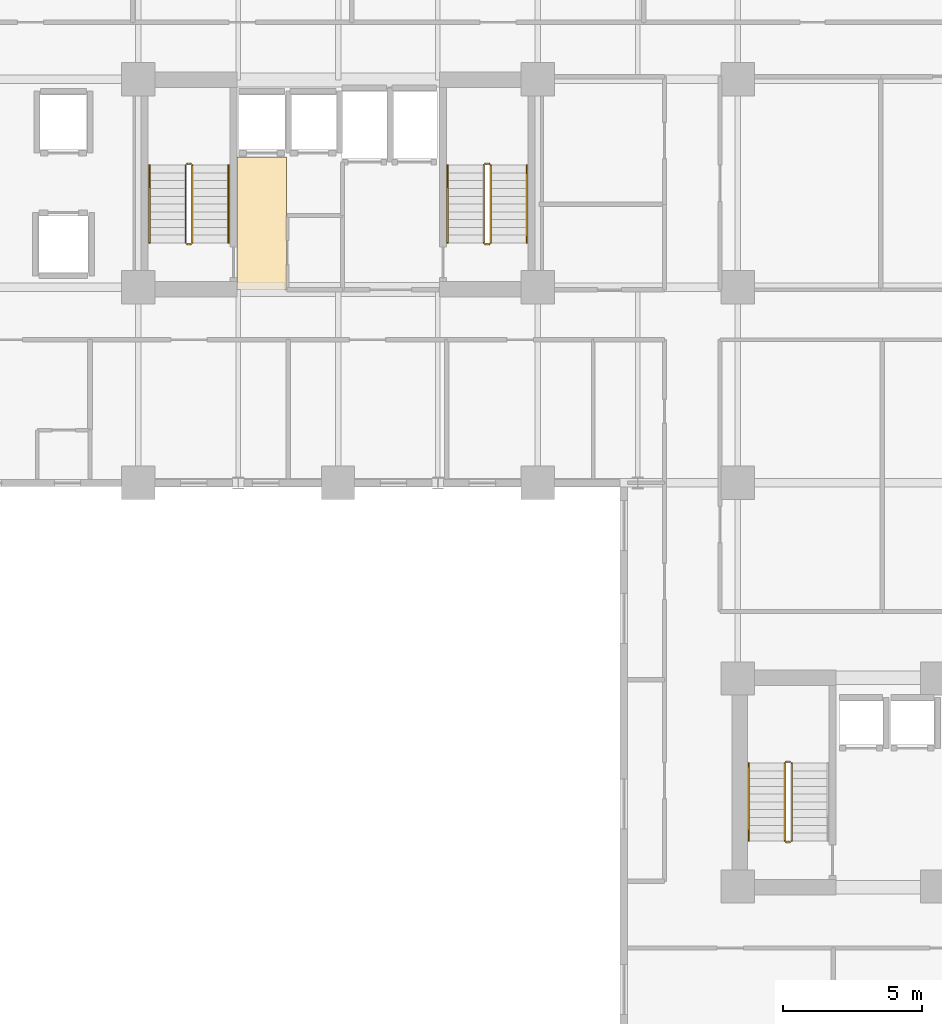
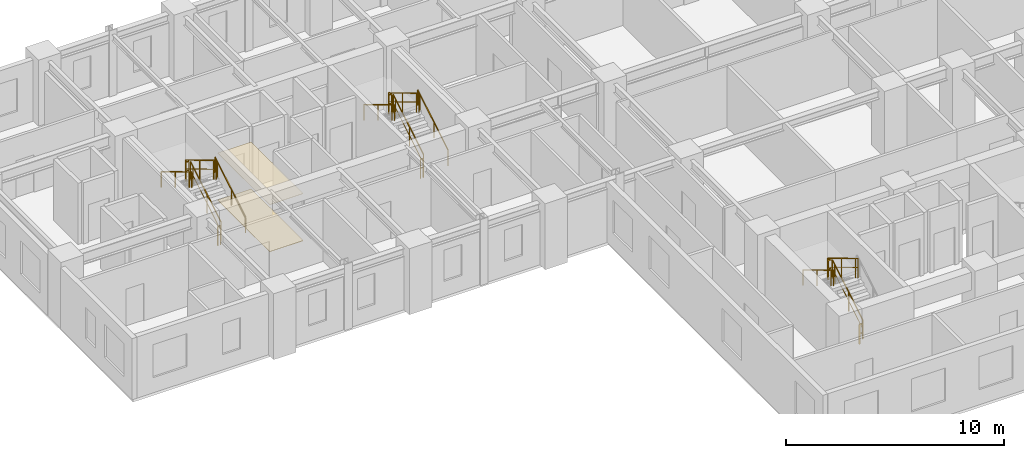
# One storey, part 9 of 11: 17 railings, 2 coverings.
"""IFC4 building model written with IfcOpenShell, lengths in metres."""

from ifc_helpers import new_model, si_unit, direction, frame, origin, origin_2d, place, context, subcontext, project, spatial, rectangle, extrude, source, transform, mapped, material, layer, layer_set, type_object, element, save


model = new_model("IFC4")

# Units and contexts
model_context = context("Model", 3, precision=1e-05, world=origin(), true_north=direction((0.0, 1.0)))
body_context = subcontext(model_context, "Body", "Model", "MODEL_VIEW")
ifc_project = project(units=[si_unit("LENGTHUNIT", "METRE"), si_unit("AREAUNIT", "SQUARE_METRE"), si_unit("VOLUMEUNIT", "CUBIC_METRE"), si_unit("PLANEANGLEUNIT", "RADIAN"), si_unit("MASSUNIT", "GRAM", prefix="KILO")], contexts=[model_context])

# Site, building, storey
site_placement = place(None, origin())
site = spatial("IfcSite", under=ifc_project, at=site_placement, CompositionType="ELEMENT")
building_placement = place(site_placement, origin())
building = spatial("IfcBuilding", under=site, at=building_placement, Name="Kaliganga Portal Commons", CompositionType="ELEMENT")
storey_placement = place(building_placement, frame((0.0, 0.0, 100.800048828125)))
storey = spatial("IfcBuildingStorey", under=building, at=storey_placement, Name="L25", CompositionType="ELEMENT", Elevation=100.800048828125)

# Railings
ifc_material_1 = material(Name="Galvanized Painted Steel Balustrade", Category="steel")
railing_type_1 = type_object("IfcRailingType", Name="RLG-STAIR-GRD", PredefinedType="GUARDRAIL", material=ifc_material_1)
railing_1_placement = place(storey_placement, frame((16.35009765625, 30.25, 0.168212890625)))
element("IfcRailing", 1, at=railing_1_placement, inside=storey, type_object=railing_type_1, Name="L25 ST-A1 stair guard 1", PredefinedType="GUARDRAIL", context=body_context, shape_type="SweptSolid", body=[
    extrude(rectangle(XDim=0.048095703125, YDim=0.048095703125, at=origin_2d()), frame((0.0, 0.0, 1.072021484375), z_axis=(0.0, 0.857275202839, 0.514858452973), x_axis=(-1.0, 0.0, 0.0)), (0.0, 0.0, 1.0), 3.26611328125),
    extrude(rectangle(XDim=0.028076171875, YDim=0.028076171875, at=origin_2d()), frame((0.0, 0.0, 0.572021484375), z_axis=(0.0, 0.857275202839, 0.514858452973), x_axis=(-1.0, 0.0, 0.0)), (0.0, 0.0, 1.0), 3.26611328125),
    extrude(rectangle(XDim=0.0419921875, YDim=0.0419921875, at=origin_2d()), origin(), (0.0, 0.0, 1.0), 1.052001953125),
    extrude(rectangle(XDim=0.0419921875, YDim=0.0419921875, at=origin_2d()), frame((0.0, 1.285888671875, 0.772216796875)), (0.0, 0.0, 1.0), 1.052001953125),
    extrude(rectangle(XDim=0.0419921875, YDim=0.0419921875, at=origin_2d()), frame((0.0, 2.57177734375, 1.544677734375)), (0.0, 0.0, 1.0), 1.052001953125),
    extrude(rectangle(XDim=0.0419921875, YDim=0.0419921875, at=origin_2d()), frame((0.0, 2.800048828125, 1.681640625)), (0.0, 0.0, 1.0), 1.052001953125),
])
railing_2_placement = place(storey_placement, frame((16.300048828125, 33.10009765625, 1.849853515625)))
element("IfcRailing", 2, at=railing_2_placement, inside=storey, type_object=railing_type_1, Name="L25 ST-A1 stair guard 2", PredefinedType="GUARDRAIL", context=body_context, shape_type="SweptSolid", body=[
    extrude(rectangle(XDim=0.048095703125, YDim=0.048095703125, at=origin_2d()), frame((0.0, 0.0, 1.076171875), z_axis=(-1.0, 0.0, 0.0), x_axis=(0.0, -1.0, 0.0)), (0.0, 0.0, 1.0), 0.150146484375),
    extrude(rectangle(XDim=0.028076171875, YDim=0.028076171875, at=origin_2d()), frame((0.0, 0.0, 0.572021484375), z_axis=(-1.0, 0.0, 0.0), x_axis=(0.0, -1.0, 0.0)), (0.0, 0.0, 1.0), 0.150146484375),
    extrude(rectangle(XDim=0.0419921875, YDim=0.0419921875, at=origin_2d()), origin(), (0.0, 0.0, 1.0), 1.052001953125),
    extrude(rectangle(XDim=0.0419921875, YDim=0.0419921875, at=origin_2d()), frame((-0.150146484375, 0.0, 0.0)), (0.0, 0.0, 1.0), 1.052001953125),
])
railing_3_placement = place(storey_placement, frame((16.10009765625, 33.050048828125, 2.01806640625)))
element("IfcRailing", 3, at=railing_3_placement, inside=storey, type_object=railing_type_1, Name="L25 ST-A1 stair guard 3", PredefinedType="GUARDRAIL", context=body_context, shape_type="SweptSolid", body=[
    extrude(rectangle(XDim=0.048095703125, YDim=0.048095703125, at=origin_2d()), frame((0.0, 0.0, 1.072021484375), z_axis=(0.0, -0.857242210791, 0.514913383045), x_axis=(1.0, 0.0, 0.0)), (0.0, 0.0, 1.0), 3.266357421875),
    extrude(rectangle(XDim=0.028076171875, YDim=0.028076171875, at=origin_2d()), frame((0.0, 0.0, 0.572021484375), z_axis=(0.0, -0.857242210791, 0.514913383045), x_axis=(1.0, 0.0, 0.0)), (0.0, 0.0, 1.0), 3.266357421875),
    extrude(rectangle(XDim=0.0419921875, YDim=0.0419921875, at=origin_2d()), origin(), (0.0, 0.0, 1.0), 1.052001953125),
    extrude(rectangle(XDim=0.0419921875, YDim=0.0419921875, at=origin_2d()), frame((0.0, -1.285888671875, 0.7724609375)), (0.0, 0.0, 1.0), 1.052001953125),
    extrude(rectangle(XDim=0.0419921875, YDim=0.0419921875, at=origin_2d()), frame((0.0, -2.57177734375, 1.544677734375)), (0.0, 0.0, 1.0), 1.052001953125),
    extrude(rectangle(XDim=0.0419921875, YDim=0.0419921875, at=origin_2d()), frame((0.0, -2.800048828125, 1.681884765625)), (0.0, 0.0, 1.0), 1.052001953125),
])
railing_4_placement = place(storey_placement, frame((16.300048828125, 30.199951171875, 0.0)))
element("IfcRailing", 4, at=railing_4_placement, inside=storey, type_object=railing_type_1, Name="L25 ST-A1 stair guard 4", PredefinedType="GUARDRAIL", context=body_context, shape_type="SweptSolid", body=[
    extrude(rectangle(XDim=0.048095703125, YDim=0.048095703125, at=origin_2d()), frame((0.0, 0.0, 1.076171875), z_axis=(-1.0, 0.0, 0.0), x_axis=(0.0, -1.0, 0.0)), (0.0, 0.0, 1.0), 0.150146484375),
    extrude(rectangle(XDim=0.028076171875, YDim=0.028076171875, at=origin_2d()), frame((0.0, 0.0, 0.572021484375), z_axis=(-1.0, 0.0, 0.0), x_axis=(0.0, -1.0, 0.0)), (0.0, 0.0, 1.0), 0.150146484375),
    extrude(rectangle(XDim=0.0419921875, YDim=0.0419921875, at=origin_2d()), origin(), (0.0, 0.0, 1.0), 1.052001953125),
    extrude(rectangle(XDim=0.0419921875, YDim=0.0419921875, at=origin_2d()), frame((-0.150146484375, 0.0, 0.0)), (0.0, 0.0, 1.0), 1.052001953125),
])
railing_5_placement = place(storey_placement, frame((27.10009765625, 30.25, 0.168212890625)))
element("IfcRailing", 5, at=railing_5_placement, inside=storey, type_object=railing_type_1, Name="L25 ST-A2 stair guard 1", PredefinedType="GUARDRAIL", context=body_context, shape_type="SweptSolid", body=[
    extrude(rectangle(XDim=0.048095703125, YDim=0.048095703125, at=origin_2d()), frame((0.0, 0.0, 1.072021484375), z_axis=(0.0, 0.857275202839, 0.514858452973), x_axis=(-1.0, 0.0, 0.0)), (0.0, 0.0, 1.0), 3.26611328125),
    extrude(rectangle(XDim=0.028076171875, YDim=0.028076171875, at=origin_2d()), frame((0.0, 0.0, 0.572021484375), z_axis=(0.0, 0.857275202839, 0.514858452973), x_axis=(-1.0, 0.0, 0.0)), (0.0, 0.0, 1.0), 3.26611328125),
    extrude(rectangle(XDim=0.0419921875, YDim=0.0419921875, at=origin_2d()), origin(), (0.0, 0.0, 1.0), 1.052001953125),
    extrude(rectangle(XDim=0.0419921875, YDim=0.0419921875, at=origin_2d()), frame((0.0, 1.285888671875, 0.772216796875)), (0.0, 0.0, 1.0), 1.052001953125),
    extrude(rectangle(XDim=0.0419921875, YDim=0.0419921875, at=origin_2d()), frame((0.0, 2.57177734375, 1.544677734375)), (0.0, 0.0, 1.0), 1.052001953125),
    extrude(rectangle(XDim=0.0419921875, YDim=0.0419921875, at=origin_2d()), frame((0.0, 2.800048828125, 1.681640625)), (0.0, 0.0, 1.0), 1.052001953125),
])
railing_6_placement = place(storey_placement, frame((27.050048828125, 33.10009765625, 1.849853515625)))
element("IfcRailing", 6, at=railing_6_placement, inside=storey, type_object=railing_type_1, Name="L25 ST-A2 stair guard 2", PredefinedType="GUARDRAIL", context=body_context, shape_type="SweptSolid", body=[
    extrude(rectangle(XDim=0.048095703125, YDim=0.048095703125, at=origin_2d()), frame((0.0, 0.0, 1.076171875), z_axis=(-1.0, 0.0, 0.0), x_axis=(0.0, -1.0, 0.0)), (0.0, 0.0, 1.0), 0.150146484375),
    extrude(rectangle(XDim=0.028076171875, YDim=0.028076171875, at=origin_2d()), frame((0.0, 0.0, 0.572021484375), z_axis=(-1.0, 0.0, 0.0), x_axis=(0.0, -1.0, 0.0)), (0.0, 0.0, 1.0), 0.150146484375),
    extrude(rectangle(XDim=0.0419921875, YDim=0.0419921875, at=origin_2d()), origin(), (0.0, 0.0, 1.0), 1.052001953125),
    extrude(rectangle(XDim=0.0419921875, YDim=0.0419921875, at=origin_2d()), frame((-0.150146484375, 0.0, 0.0)), (0.0, 0.0, 1.0), 1.052001953125),
])
railing_7_placement = place(storey_placement, frame((26.85009765625, 33.050048828125, 2.01806640625)))
element("IfcRailing", 7, at=railing_7_placement, inside=storey, type_object=railing_type_1, Name="L25 ST-A2 stair guard 3", PredefinedType="GUARDRAIL", context=body_context, shape_type="SweptSolid", body=[
    extrude(rectangle(XDim=0.048095703125, YDim=0.048095703125, at=origin_2d()), frame((0.0, 0.0, 1.072021484375), z_axis=(0.0, -0.857242210791, 0.514913383045), x_axis=(1.0, 0.0, 0.0)), (0.0, 0.0, 1.0), 3.266357421875),
    extrude(rectangle(XDim=0.028076171875, YDim=0.028076171875, at=origin_2d()), frame((0.0, 0.0, 0.572021484375), z_axis=(0.0, -0.857242210791, 0.514913383045), x_axis=(1.0, 0.0, 0.0)), (0.0, 0.0, 1.0), 3.266357421875),
    extrude(rectangle(XDim=0.0419921875, YDim=0.0419921875, at=origin_2d()), origin(), (0.0, 0.0, 1.0), 1.052001953125),
    extrude(rectangle(XDim=0.0419921875, YDim=0.0419921875, at=origin_2d()), frame((0.0, -1.285888671875, 0.7724609375)), (0.0, 0.0, 1.0), 1.052001953125),
    extrude(rectangle(XDim=0.0419921875, YDim=0.0419921875, at=origin_2d()), frame((0.0, -2.57177734375, 1.544677734375)), (0.0, 0.0, 1.0), 1.052001953125),
    extrude(rectangle(XDim=0.0419921875, YDim=0.0419921875, at=origin_2d()), frame((0.0, -2.800048828125, 1.681884765625)), (0.0, 0.0, 1.0), 1.052001953125),
])
railing_8_placement = place(storey_placement, frame((27.050048828125, 30.199951171875, 0.0)))
element("IfcRailing", 8, at=railing_8_placement, inside=storey, type_object=railing_type_1, Name="L25 ST-A2 stair guard 4", PredefinedType="GUARDRAIL", context=body_context, shape_type="SweptSolid", body=[
    extrude(rectangle(XDim=0.048095703125, YDim=0.048095703125, at=origin_2d()), frame((0.0, 0.0, 1.076171875), z_axis=(-1.0, 0.0, 0.0), x_axis=(0.0, -1.0, 0.0)), (0.0, 0.0, 1.0), 0.150146484375),
    extrude(rectangle(XDim=0.028076171875, YDim=0.028076171875, at=origin_2d()), frame((0.0, 0.0, 0.572021484375), z_axis=(-1.0, 0.0, 0.0), x_axis=(0.0, -1.0, 0.0)), (0.0, 0.0, 1.0), 0.150146484375),
    extrude(rectangle(XDim=0.0419921875, YDim=0.0419921875, at=origin_2d()), origin(), (0.0, 0.0, 1.0), 1.052001953125),
    extrude(rectangle(XDim=0.0419921875, YDim=0.0419921875, at=origin_2d()), frame((-0.150146484375, 0.0, 0.0)), (0.0, 0.0, 1.0), 1.052001953125),
])
railing_9_placement = place(storey_placement, frame((37.949951171875, 8.699951171875, 0.168212890625)))
element("IfcRailing", 9, at=railing_9_placement, inside=storey, type_object=railing_type_1, Name="L25 ST-B1 stair guard 1", PredefinedType="GUARDRAIL", context=body_context, shape_type="SweptSolid", body=[
    extrude(rectangle(XDim=0.048095703125, YDim=0.048095703125, at=origin_2d()), frame((0.0, 0.0, 1.072021484375), z_axis=(0.0, 0.857275202839, 0.514858452973), x_axis=(-1.0, 0.0, 0.0)), (0.0, 0.0, 1.0), 3.26611328125),
    extrude(rectangle(XDim=0.028076171875, YDim=0.028076171875, at=origin_2d()), frame((0.0, 0.0, 0.572021484375), z_axis=(0.0, 0.857275202839, 0.514858452973), x_axis=(-1.0, 0.0, 0.0)), (0.0, 0.0, 1.0), 3.26611328125),
    extrude(rectangle(XDim=0.0419921875, YDim=0.0419921875, at=origin_2d()), origin(), (0.0, 0.0, 1.0), 1.052001953125),
    extrude(rectangle(XDim=0.0419921875, YDim=0.0419921875, at=origin_2d()), frame((0.0, 1.285888671875, 0.772216796875)), (0.0, 0.0, 1.0), 1.052001953125),
    extrude(rectangle(XDim=0.0419921875, YDim=0.0419921875, at=origin_2d()), frame((0.0, 2.57177734375, 1.544677734375)), (0.0, 0.0, 1.0), 1.052001953125),
    extrude(rectangle(XDim=0.0419921875, YDim=0.0419921875, at=origin_2d()), frame((0.0, 2.800048828125, 1.681640625)), (0.0, 0.0, 1.0), 1.052001953125),
])
railing_10_placement = place(storey_placement, frame((37.89990234375, 11.550048828125, 1.849853515625)))
element("IfcRailing", 10, at=railing_10_placement, inside=storey, type_object=railing_type_1, Name="L25 ST-B1 stair guard 2", PredefinedType="GUARDRAIL", context=body_context, shape_type="SweptSolid", body=[
    extrude(rectangle(XDim=0.048095703125, YDim=0.048095703125, at=origin_2d()), frame((0.0, 0.0, 1.076171875), z_axis=(-1.0, 0.0, 0.0), x_axis=(0.0, -1.0, 0.0)), (0.0, 0.0, 1.0), 0.14990234375),
    extrude(rectangle(XDim=0.028076171875, YDim=0.028076171875, at=origin_2d()), frame((0.0, 0.0, 0.572021484375), z_axis=(-1.0, 0.0, 0.0), x_axis=(0.0, -1.0, 0.0)), (0.0, 0.0, 1.0), 0.14990234375),
    extrude(rectangle(XDim=0.0419921875, YDim=0.0419921875, at=origin_2d()), frame((-0.14990234375, 0.0, 0.0)), (0.0, 0.0, 1.0), 1.052001953125),
])
railing_11_placement = place(storey_placement, frame((37.699951171875, 11.5, 2.01806640625)))
element("IfcRailing", 11, at=railing_11_placement, inside=storey, type_object=railing_type_1, Name="L25 ST-B1 stair guard 3", PredefinedType="GUARDRAIL", context=body_context, shape_type="SweptSolid", body=[
    extrude(rectangle(XDim=0.048095703125, YDim=0.048095703125, at=origin_2d()), frame((0.0, 0.0, 1.072021484375), z_axis=(0.0, -0.857242210791, 0.514913383045), x_axis=(1.0, 0.0, 0.0)), (0.0, 0.0, 1.0), 3.266357421875),
    extrude(rectangle(XDim=0.028076171875, YDim=0.028076171875, at=origin_2d()), frame((0.0, 0.0, 0.572021484375), z_axis=(0.0, -0.857242210791, 0.514913383045), x_axis=(1.0, 0.0, 0.0)), (0.0, 0.0, 1.0), 3.266357421875),
    extrude(rectangle(XDim=0.0419921875, YDim=0.0419921875, at=origin_2d()), origin(), (0.0, 0.0, 1.0), 1.052001953125),
    extrude(rectangle(XDim=0.0419921875, YDim=0.0419921875, at=origin_2d()), frame((0.0, -1.285888671875, 0.7724609375)), (0.0, 0.0, 1.0), 1.052001953125),
    extrude(rectangle(XDim=0.0419921875, YDim=0.0419921875, at=origin_2d()), frame((0.0, -2.57177734375, 1.544677734375)), (0.0, 0.0, 1.0), 1.052001953125),
    extrude(rectangle(XDim=0.0419921875, YDim=0.0419921875, at=origin_2d()), frame((0.0, -2.800048828125, 1.681884765625)), (0.0, 0.0, 1.0), 1.052001953125),
])
railing_12_placement = place(storey_placement, frame((37.89990234375, 8.64990234375, 0.0)))
element("IfcRailing", 12, at=railing_12_placement, inside=storey, type_object=railing_type_1, Name="L25 ST-B1 stair guard 4", PredefinedType="GUARDRAIL", context=body_context, shape_type="SweptSolid", body=[
    extrude(rectangle(XDim=0.048095703125, YDim=0.048095703125, at=origin_2d()), frame((0.0, 0.0, 1.076171875), z_axis=(-1.0, 0.0, 0.0), x_axis=(0.0, -1.0, 0.0)), (0.0, 0.0, 1.0), 0.14990234375),
    extrude(rectangle(XDim=0.028076171875, YDim=0.028076171875, at=origin_2d()), frame((0.0, 0.0, 0.572021484375), z_axis=(-1.0, 0.0, 0.0), x_axis=(0.0, -1.0, 0.0)), (0.0, 0.0, 1.0), 0.14990234375),
    extrude(rectangle(XDim=0.0419921875, YDim=0.0419921875, at=origin_2d()), frame((-0.14990234375, 0.0, 0.0)), (0.0, 0.0, 1.0), 1.052001953125),
])
ifc_material_2 = material(Name="Brushed Stainless Steel 316", Category="steel")
railing_type_2 = type_object("IfcRailingType", Name="RLG-STAIR-HR", PredefinedType="HANDRAIL", material=ifc_material_2)
railing_13_placement = place(storey_placement, frame((17.64990234375, 30.25, 0.168212890625)))
element("IfcRailing", 13, at=railing_13_placement, inside=storey, type_object=railing_type_2, Name="L25 ST-A1 stair handrail 1", PredefinedType="HANDRAIL", context=body_context, shape_type="SweptSolid", body=[
    extrude(rectangle(XDim=0.048095703125, YDim=0.048095703125, at=origin_2d()), frame((0.0, 0.0, 0.871826171875), z_axis=(0.0, 0.857275202839, 0.514858452973), x_axis=(-1.0, 0.0, 0.0)), (0.0, 0.0, 1.0), 3.26611328125),
    extrude(rectangle(XDim=0.0419921875, YDim=0.0419921875, at=origin_2d()), origin(), (0.0, 0.0, 1.0), 0.851806640625),
    extrude(rectangle(XDim=0.0419921875, YDim=0.0419921875, at=origin_2d()), frame((0.0, 1.285888671875, 0.772216796875)), (0.0, 0.0, 1.0), 0.851806640625),
    extrude(rectangle(XDim=0.0419921875, YDim=0.0419921875, at=origin_2d()), frame((0.0, 2.57177734375, 1.544677734375)), (0.0, 0.0, 1.0), 0.851806640625),
    extrude(rectangle(XDim=0.0419921875, YDim=0.0419921875, at=origin_2d()), frame((0.0, 2.800048828125, 1.681640625)), (0.0, 0.0, 1.0), 0.851806640625),
])
railing_14_placement = place(storey_placement, frame((14.800048828125, 33.050048828125, 2.01806640625)))
element("IfcRailing", 14, at=railing_14_placement, inside=storey, type_object=railing_type_2, Name="L25 ST-A1 stair handrail 2", PredefinedType="HANDRAIL", context=body_context, shape_type="SweptSolid", body=[
    extrude(rectangle(XDim=0.048095703125, YDim=0.048095703125, at=origin_2d()), frame((0.0, 0.0, 0.871826171875), z_axis=(0.0, -0.857242210791, 0.514913383045), x_axis=(1.0, 0.0, 0.0)), (0.0, 0.0, 1.0), 3.266357421875),
    extrude(rectangle(XDim=0.0419921875, YDim=0.0419921875, at=origin_2d()), origin(), (0.0, 0.0, 1.0), 0.851806640625),
    extrude(rectangle(XDim=0.0419921875, YDim=0.0419921875, at=origin_2d()), frame((0.0, -1.285888671875, 0.7724609375)), (0.0, 0.0, 1.0), 0.851806640625),
    extrude(rectangle(XDim=0.0419921875, YDim=0.0419921875, at=origin_2d()), frame((0.0, -2.57177734375, 1.544677734375)), (0.0, 0.0, 1.0), 0.851806640625),
    extrude(rectangle(XDim=0.0419921875, YDim=0.0419921875, at=origin_2d()), frame((0.0, -2.800048828125, 1.681884765625)), (0.0, 0.0, 1.0), 0.851806640625),
])
railing_15_placement = place(storey_placement, frame((28.39990234375, 30.25, 0.168212890625)))
element("IfcRailing", 15, at=railing_15_placement, inside=storey, type_object=railing_type_2, Name="L25 ST-A2 stair handrail 1", PredefinedType="HANDRAIL", context=body_context, shape_type="SweptSolid", body=[
    extrude(rectangle(XDim=0.048095703125, YDim=0.048095703125, at=origin_2d()), frame((0.0, 0.0, 0.871826171875), z_axis=(0.0, 0.857275202839, 0.514858452973), x_axis=(-1.0, 0.0, 0.0)), (0.0, 0.0, 1.0), 3.26611328125),
    extrude(rectangle(XDim=0.0419921875, YDim=0.0419921875, at=origin_2d()), origin(), (0.0, 0.0, 1.0), 0.851806640625),
    extrude(rectangle(XDim=0.0419921875, YDim=0.0419921875, at=origin_2d()), frame((0.0, 1.285888671875, 0.772216796875)), (0.0, 0.0, 1.0), 0.851806640625),
    extrude(rectangle(XDim=0.0419921875, YDim=0.0419921875, at=origin_2d()), frame((0.0, 2.57177734375, 1.544677734375)), (0.0, 0.0, 1.0), 0.851806640625),
    extrude(rectangle(XDim=0.0419921875, YDim=0.0419921875, at=origin_2d()), frame((0.0, 2.800048828125, 1.681640625)), (0.0, 0.0, 1.0), 0.851806640625),
])
for number, where, name in (
    (16, (25.550048828125, 33.050048828125, 2.01806640625), "L25 ST-A2 stair handrail 2"),
    (17, (36.39990234375, 11.5, 2.01806640625), "L25 ST-B1 stair handrail 2"),
):
    element("IfcRailing", number, at=place(storey_placement, frame(where)), inside=storey, type_object=railing_type_2, Name=name, PredefinedType="HANDRAIL", context=body_context, shape_type="SweptSolid", body=[
        extrude(rectangle(XDim=0.048095703125, YDim=0.048095703125, at=origin_2d()), frame((0.0, 0.0, 0.871826171875), z_axis=(0.0, -0.857242210791, 0.514913383045), x_axis=(1.0, 0.0, 0.0)), (0.0, 0.0, 1.0), 3.266357421875),
        extrude(rectangle(XDim=0.0419921875, YDim=0.0419921875, at=origin_2d()), origin(), (0.0, 0.0, 1.0), 0.851806640625),
        extrude(rectangle(XDim=0.0419921875, YDim=0.0419921875, at=origin_2d()), frame((0.0, -1.285888671875, 0.7724609375)), (0.0, 0.0, 1.0), 0.851806640625),
        extrude(rectangle(XDim=0.0419921875, YDim=0.0419921875, at=origin_2d()), frame((0.0, -2.57177734375, 1.544677734375)), (0.0, 0.0, 1.0), 0.851806640625),
        extrude(rectangle(XDim=0.0419921875, YDim=0.0419921875, at=origin_2d()), frame((0.0, -2.800048828125, 1.681884765625)), (0.0, 0.0, 1.0), 0.851806640625),
    ])

# Coverings
ifc_material_3 = material(Name="Acoustic Micro-Perforated Gypsum Ceiling", Category="gypsum")
ifc_layer_1 = layer(ifc_material_3, 0.02001953125)
ifc_layer_set_1 = layer_set([ifc_layer_1], Name="Acoustic Micro-Perforated Gypsum Ceiling")
covering_type_1 = type_object("IfcCoveringType", Name="COV-CEIL-GYP", PredefinedType="CEILING", material=ifc_layer_set_1)
shared_shape_1 = source(origin(), body_context, "Body", "SweptSolid", [
    extrude(rectangle(XDim=1.780029296875, YDim=4.780029296875, at=origin_2d()), origin(), (0.0, 0.0, 1.0), 0.02001953125),
])
covering_1_placement = place(storey_placement, frame((18.85009765625, 30.949951171875, 2.639892578125), z_axis=(0.0, 0.0, 1.0), x_axis=(1.0, 0.0, 0.0)))
element("IfcCovering", 18, at=covering_1_placement, inside=storey, type_object=covering_type_1, Name="Acoustic Ceiling L25 PLOB_A", PredefinedType="CEILING", context=body_context, shape_type="MappedRepresentation", body=[
    mapped(shared_shape_1, transform((0.0, 0.0, 0.0), x_axis=(1.0, 0.0, 0.0), y_axis=(0.0, 1.0, 0.0), z_axis=(0.0, 0.0, 1.0), scale=1.0)),
])
ifc_material_4 = material(Name="Polished Sylhet Stone Terrazzo Flooring", Category="masonry")
ifc_layer_2 = layer(ifc_material_4, 0.02490234375)
ifc_layer_set_2 = layer_set([ifc_layer_2], Name="Polished Sylhet Stone Terrazzo Flooring")
covering_type_2 = type_object("IfcCoveringType", Name="COV-FLR-TERRAZZO", PredefinedType="FLOORING", material=ifc_layer_set_2)
shared_shape_2 = source(origin(), body_context, "Body", "SweptSolid", [
    extrude(rectangle(XDim=1.780029296875, YDim=4.780029296875, at=origin_2d()), origin(), (0.0, 0.0, 1.0), 0.02490234375),
])
covering_2_placement = place(storey_placement, frame((18.85009765625, 30.949951171875, 0.00048828125), z_axis=(0.0, 0.0, 1.0), x_axis=(1.0, 0.0, 0.0)))
element("IfcCovering", 19, at=covering_2_placement, inside=storey, type_object=covering_type_2, Name="Terrazzo Flooring L25 PLOB_A", PredefinedType="FLOORING", context=body_context, shape_type="MappedRepresentation", body=[
    mapped(shared_shape_2, transform((0.0, 0.0, 0.0), x_axis=(1.0, 0.0, 0.0), y_axis=(0.0, 1.0, 0.0), z_axis=(0.0, 0.0, 1.0), scale=1.0)),
])

save(model, "model.ifc")
